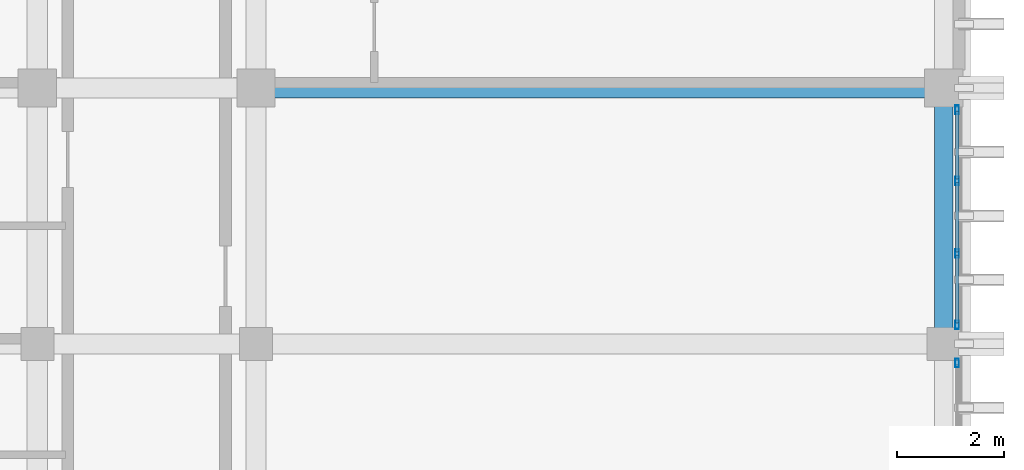
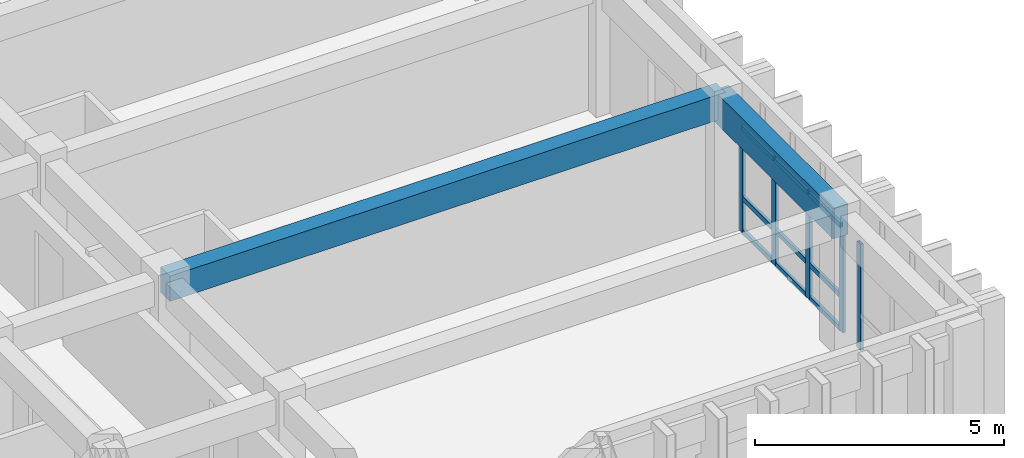
# One storey, part 8 of 59: 14 members, 2 beams, 2 elements without a shape of their own.
"""IFC4 building model written with IfcOpenShell, lengths in metres."""

from ifc_helpers import new_model, si_unit, direction, frame, origin, origin_2d, place, context, subcontext, project, spatial, rectangle, hollow_rectangle, extrude, material, layer, layer_set, material_profile, profile_set, type_object, element, aggregate, save


model = new_model("IFC4")

# Units and contexts
model_context = context("Model", 3, precision=1e-05, world=origin(), true_north=direction((0.0, 1.0)))
body_context = subcontext(model_context, "Body", "Model", "MODEL_VIEW")
ifc_project = project(units=[si_unit("LENGTHUNIT", "METRE"), si_unit("AREAUNIT", "SQUARE_METRE"), si_unit("VOLUMEUNIT", "CUBIC_METRE"), si_unit("PLANEANGLEUNIT", "RADIAN"), si_unit("MASSUNIT", "GRAM", prefix="KILO")], contexts=[model_context])

# Site, building, storey
site_placement = place(None, origin())
site = spatial("IfcSite", under=ifc_project, at=site_placement, CompositionType="ELEMENT")
building_placement = place(site_placement, origin())
building = spatial("IfcBuilding", under=site, at=building_placement, Name="Nakhvara Creek Congress Hotel", CompositionType="ELEMENT")
storey_placement = place(building_placement, frame((0.0, 0.0, 31.800048828125)))
storey = spatial("IfcBuildingStorey", under=building, at=storey_placement, Name="L07", CompositionType="ELEMENT", Elevation=31.800048828125)

# Beams
ifc_material_1 = material(Name="Concrete C40/50", Category="concrete")
ifc_material_profile_1 = material_profile(ifc_material_1, rectangle(XDim=0.3798828125, YDim=0.6201171875, at=origin_2d()), Name="RC-BM 380x620", Category="LoadBearing")
ifc_profile_set_1 = profile_set([ifc_material_profile_1], Name="Concrete C40/50")
beam_type_1 = type_object("IfcBeamType", Name="BM-RC-380X620", PredefinedType="BEAM", material=ifc_profile_set_1)
beam_1_placement = place(storey_placement, frame((166.449951171875, 57.60009765625, 3.050048828125), z_axis=(1.0, 0.0, 0.0), x_axis=(0.0, 1.0, 0.0)))
element("IfcBeam", 1, at=beam_1_placement, inside=storey, type_object=beam_type_1, Name="Beam B10-L07-2368", PredefinedType="BEAM", context=body_context, shape_type="SweptSolid", body=[
    extrude(rectangle(XDim=0.3798828125, YDim=0.6201171875, at=origin_2d()), origin(), (0.0, 0.0, 1.0), 12.900146484375),
])
ifc_material_profile_2 = material_profile(ifc_material_1, rectangle(XDim=0.35009765625, YDim=0.75, at=origin_2d()), Name="RC-SPANDREL 350x750", Category="LoadBearing")
ifc_profile_set_2 = profile_set([ifc_material_profile_2], Name="Concrete C40/50")
beam_type_2 = type_object("IfcBeamType", Name="BM-SPN-350X750", PredefinedType="SPANDREL", material=ifc_profile_set_2)
beam_2_placement = place(storey_placement, frame((179.35009765625, 52.800048828125, 2.98486328125), z_axis=(0.0, 1.0, 0.0), x_axis=(-1.0, 0.0, 0.0)))
element("IfcBeam", 2, at=beam_2_placement, inside=storey, type_object=beam_type_2, Name="Beam SP1-L07-2392", PredefinedType="SPANDREL", context=body_context, shape_type="SweptSolid", body=[
    extrude(rectangle(XDim=0.35009765625, YDim=0.75, at=origin_2d()), origin(), (0.0, 0.0, 1.0), 4.800048828125),
])

# Curtain wall, member
ifc_material_2 = material(Name="Bronze-anodised aluminium AW-6063-T6 and double-silver low-E glass", Category="aluminium")
ifc_layer = layer(ifc_material_2, 0.199951171875)
ifc_layer_set = layer_set([ifc_layer], Name="Bronze-anodised aluminium AW-6063-T6 and double-silver low-E glass")
curtain_wall_type = type_object("IfcCurtainWallType", Name="CW-HTL-UNIT", PredefinedType="USERDEFINED", material=ifc_layer_set)
curtain_wall_1_placement = place(storey_placement, origin())
curtain_wall_1 = element("IfcCurtainWall", 3, at=curtain_wall_1_placement, inside=storey, type_object=curtain_wall_type, Name="Curtain Wall CW253", ObjectType="UNITISED", PredefinedType="USERDEFINED")
ifc_material_3 = material(Name="Bronze-anodised aluminium AW-6063-T6", Category="aluminium")
ifc_material_profile_3 = material_profile(ifc_material_3, hollow_rectangle(XDim=0.06494140625, YDim=0.159912109375, WallThickness=0.00390625, at=origin_2d()), Name="ALU-MULL 65x160x4", Category="LoadBearing")
ifc_profile_set_3 = profile_set([ifc_material_profile_3], Name="Bronze-anodised aluminium AW-6063-T6")
member_type_1 = type_object("IfcMemberType", Name="CW-MULL-160", PredefinedType="MULLION", material=ifc_profile_set_3)
member_1_placement = place(storey_placement, frame((179.60009765625, 52.4423828125, 0.0), z_axis=(0.0, 0.0, 1.0), x_axis=(1.0, 0.0, 0.0)))
member_1 = element("IfcMember", 4, at=member_1_placement, type_object=member_type_1, Name="CW253 mullion 1", PredefinedType="MULLION", context=body_context, shape_type="SweptSolid", body=[
    extrude(hollow_rectangle(XDim=0.06494140625, YDim=0.159912109375, WallThickness=0.00390625, at=origin_2d()), origin(), (0.0, 0.0, 1.0), 2.60205078125),
])
aggregate(curtain_wall_1, [member_1])

# Curtain wall, members
curtain_wall_2_placement = place(storey_placement, origin())
curtain_wall_2 = element("IfcCurtainWall", 5, at=curtain_wall_2_placement, inside=storey, type_object=curtain_wall_type, Name="Curtain Wall CW255", ObjectType="UNITISED", PredefinedType="USERDEFINED")
member_2_placement = place(storey_placement, frame((179.60009765625, 57.1923828125, 0.0), z_axis=(0.0, 0.0, 1.0), x_axis=(1.0, 0.0, 0.0)))
member_2 = element("IfcMember", 6, at=member_2_placement, type_object=member_type_1, Name="CW255 mullion 1", PredefinedType="MULLION", context=body_context, shape_type="SweptSolid", body=[
    extrude(hollow_rectangle(XDim=0.06494140625, YDim=0.159912109375, WallThickness=0.00390625, at=origin_2d()), origin(), (0.0, 0.0, 1.0), 2.60205078125),
])
member_3_placement = place(storey_placement, frame((179.60009765625, 55.8583984375, 0.0), z_axis=(0.0, 0.0, 1.0), x_axis=(1.0, 0.0, 0.0)))
member_3 = element("IfcMember", 7, at=member_3_placement, type_object=member_type_1, Name="CW255 mullion 2", PredefinedType="MULLION", context=body_context, shape_type="SweptSolid", body=[
    extrude(hollow_rectangle(XDim=0.06494140625, YDim=0.159912109375, WallThickness=0.00390625, at=origin_2d()), origin(), (0.0, 0.0, 1.0), 2.60205078125),
])
member_4_placement = place(storey_placement, frame((179.60009765625, 54.49169921875, 0.0), z_axis=(0.0, 0.0, 1.0), x_axis=(1.0, 0.0, 0.0)))
member_4 = element("IfcMember", 8, at=member_4_placement, type_object=member_type_1, Name="CW255 mullion 3", PredefinedType="MULLION", context=body_context, shape_type="SweptSolid", body=[
    extrude(hollow_rectangle(XDim=0.06494140625, YDim=0.159912109375, WallThickness=0.00390625, at=origin_2d()), origin(), (0.0, 0.0, 1.0), 2.60205078125),
])
member_5_placement = place(storey_placement, frame((179.60009765625, 53.157470703125, 0.0), z_axis=(0.0, 0.0, 1.0), x_axis=(1.0, 0.0, 0.0)))
member_5 = element("IfcMember", 9, at=member_5_placement, type_object=member_type_1, Name="CW255 mullion 4", PredefinedType="MULLION", context=body_context, shape_type="SweptSolid", body=[
    extrude(hollow_rectangle(XDim=0.06494140625, YDim=0.159912109375, WallThickness=0.00390625, at=origin_2d()), origin(), (0.0, 0.0, 1.0), 2.60205078125),
])
ifc_material_profile_4 = material_profile(ifc_material_3, hollow_rectangle(XDim=0.06494140625, YDim=0.1201171875, WallThickness=0.00390625, at=origin_2d()), Name="ALU-TRAN 65x120x4", Category="LoadBearing")
ifc_profile_set_4 = profile_set([ifc_material_profile_4], Name="Bronze-anodised aluminium AW-6063-T6")
member_type_2 = type_object("IfcMemberType", Name="CW-TRAN-120", PredefinedType="USERDEFINED", material=ifc_profile_set_4)
member_6_placement = place(storey_placement, frame((179.60009765625, 57.159912109375, 0.032470703125), z_axis=(0.0, -1.0, 0.0), x_axis=(1.0, 0.0, 0.0)))
member_6 = element("IfcMember", 10, at=member_6_placement, type_object=member_type_2, Name="CW255 transom 1.1", ObjectType="TRANSOM", PredefinedType="USERDEFINED", context=body_context, shape_type="SweptSolid", body=[
    extrude(hollow_rectangle(XDim=0.06494140625, YDim=0.1201171875, WallThickness=0.00390625, at=origin_2d()), origin(), (0.0, 0.0, 1.0), 1.26904296875),
])
member_7_placement = place(storey_placement, frame((179.60009765625, 57.159912109375, 0.849853515625), z_axis=(0.0, -1.0, 0.0), x_axis=(1.0, 0.0, 0.0)))
member_7 = element("IfcMember", 11, at=member_7_placement, type_object=member_type_2, Name="CW255 transom 1.2", ObjectType="TRANSOM", PredefinedType="USERDEFINED", context=body_context, shape_type="SweptSolid", body=[
    extrude(hollow_rectangle(XDim=0.06494140625, YDim=0.1201171875, WallThickness=0.00390625, at=origin_2d()), origin(), (0.0, 0.0, 1.0), 1.26904296875),
])
member_8_placement = place(storey_placement, frame((179.60009765625, 57.159912109375, 2.5693359375), z_axis=(0.0, -1.0, 0.0), x_axis=(1.0, 0.0, 0.0)))
member_8 = element("IfcMember", 12, at=member_8_placement, type_object=member_type_2, Name="CW255 transom 1.3", ObjectType="TRANSOM", PredefinedType="USERDEFINED", context=body_context, shape_type="SweptSolid", body=[
    extrude(hollow_rectangle(XDim=0.06494140625, YDim=0.1201171875, WallThickness=0.00390625, at=origin_2d()), origin(), (0.0, 0.0, 1.0), 1.26904296875),
])
member_9_placement = place(storey_placement, frame((179.60009765625, 55.825927734375, 0.032470703125), z_axis=(0.0, -1.0, 0.0), x_axis=(1.0, 0.0, 0.0)))
member_9 = element("IfcMember", 13, at=member_9_placement, type_object=member_type_2, Name="CW255 transom 2.1", ObjectType="TRANSOM", PredefinedType="USERDEFINED", context=body_context, shape_type="SweptSolid", body=[
    extrude(hollow_rectangle(XDim=0.06494140625, YDim=0.1201171875, WallThickness=0.00390625, at=origin_2d()), origin(), (0.0, 0.0, 1.0), 1.3017578125),
])
member_10_placement = place(storey_placement, frame((179.60009765625, 55.825927734375, 0.849853515625), z_axis=(0.0, -1.0, 0.0), x_axis=(1.0, 0.0, 0.0)))
member_10 = element("IfcMember", 14, at=member_10_placement, type_object=member_type_2, Name="CW255 transom 2.2", ObjectType="TRANSOM", PredefinedType="USERDEFINED", context=body_context, shape_type="SweptSolid", body=[
    extrude(hollow_rectangle(XDim=0.06494140625, YDim=0.1201171875, WallThickness=0.00390625, at=origin_2d()), origin(), (0.0, 0.0, 1.0), 1.3017578125),
])
member_11_placement = place(storey_placement, frame((179.60009765625, 55.825927734375, 2.5693359375), z_axis=(0.0, -1.0, 0.0), x_axis=(1.0, 0.0, 0.0)))
member_11 = element("IfcMember", 15, at=member_11_placement, type_object=member_type_2, Name="CW255 transom 2.3", ObjectType="TRANSOM", PredefinedType="USERDEFINED", context=body_context, shape_type="SweptSolid", body=[
    extrude(hollow_rectangle(XDim=0.06494140625, YDim=0.1201171875, WallThickness=0.00390625, at=origin_2d()), origin(), (0.0, 0.0, 1.0), 1.3017578125),
])
member_12_placement = place(storey_placement, frame((179.60009765625, 54.459228515625, 0.032470703125), z_axis=(0.0, -1.0, 0.0), x_axis=(1.0, 0.0, 0.0)))
member_12 = element("IfcMember", 16, at=member_12_placement, type_object=member_type_2, Name="CW255 transom 3.1", ObjectType="TRANSOM", PredefinedType="USERDEFINED", context=body_context, shape_type="SweptSolid", body=[
    extrude(hollow_rectangle(XDim=0.06494140625, YDim=0.1201171875, WallThickness=0.00390625, at=origin_2d()), origin(), (0.0, 0.0, 1.0), 1.269287109375),
])
member_13_placement = place(storey_placement, frame((179.60009765625, 54.459228515625, 0.849853515625), z_axis=(0.0, -1.0, 0.0), x_axis=(1.0, 0.0, 0.0)))
member_13 = element("IfcMember", 17, at=member_13_placement, type_object=member_type_2, Name="CW255 transom 3.2", ObjectType="TRANSOM", PredefinedType="USERDEFINED", context=body_context, shape_type="SweptSolid", body=[
    extrude(hollow_rectangle(XDim=0.06494140625, YDim=0.1201171875, WallThickness=0.00390625, at=origin_2d()), origin(), (0.0, 0.0, 1.0), 1.269287109375),
])
member_14_placement = place(storey_placement, frame((179.60009765625, 54.459228515625, 2.5693359375), z_axis=(0.0, -1.0, 0.0), x_axis=(1.0, 0.0, 0.0)))
member_14 = element("IfcMember", 18, at=member_14_placement, type_object=member_type_2, Name="CW255 transom 3.3", ObjectType="TRANSOM", PredefinedType="USERDEFINED", context=body_context, shape_type="SweptSolid", body=[
    extrude(hollow_rectangle(XDim=0.06494140625, YDim=0.1201171875, WallThickness=0.00390625, at=origin_2d()), origin(), (0.0, 0.0, 1.0), 1.269287109375),
])
aggregate(curtain_wall_2, [member_2, member_3, member_4, member_5, member_6, member_7, member_8, member_9, member_10, member_11, member_12, member_13, member_14])

save(model, "model.ifc")
